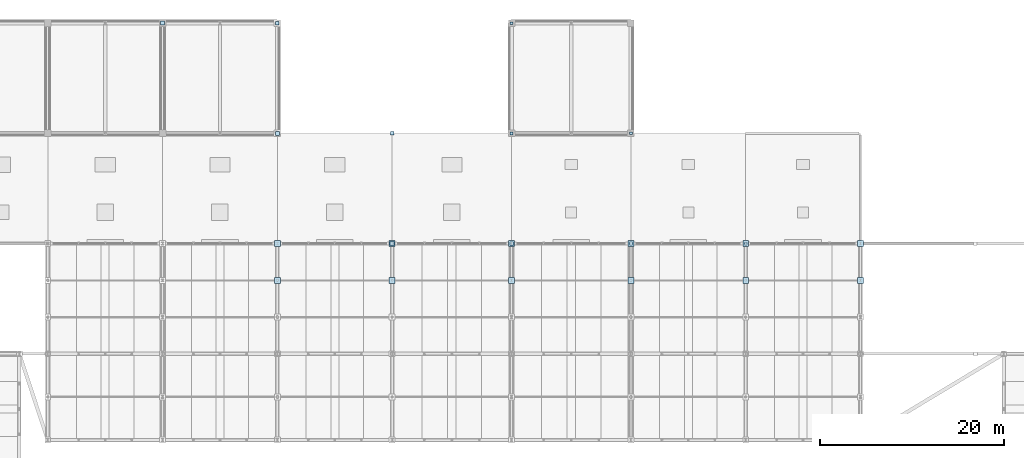
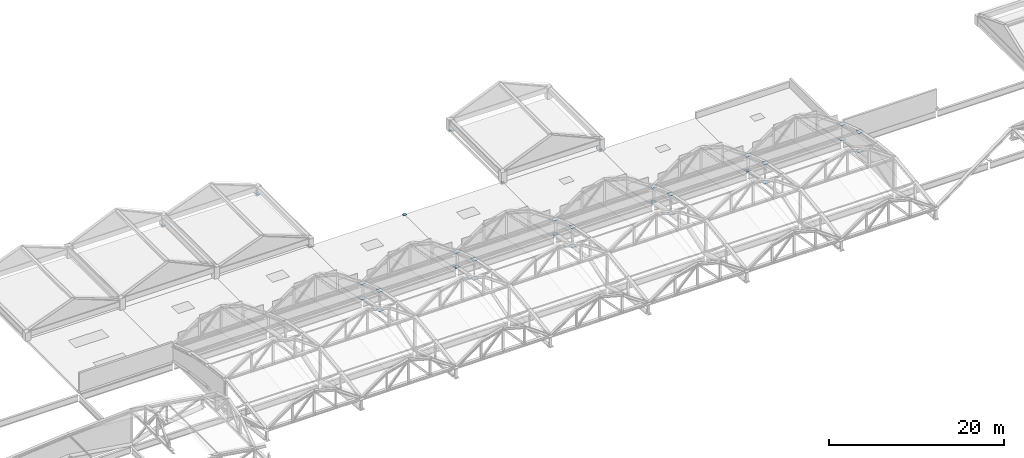
# One storey, part 107 of 117: 35 plates.
"""IFC4 building model written with IfcOpenShell, lengths in metres."""

from ifc_helpers import new_model, si_unit, direction, frame, origin, origin_2d, place, context, subcontext, project, spatial, rectangle, extrude, material, layer, layer_set, type_object, element, save


model = new_model("IFC4")

# Units and contexts
model_context = context("Model", 3, precision=1e-05, world=origin(), true_north=direction((0.0, 1.0)))
body_context = subcontext(model_context, "Body", "Model", "MODEL_VIEW")
ifc_project = project(units=[si_unit("LENGTHUNIT", "METRE"), si_unit("AREAUNIT", "SQUARE_METRE"), si_unit("VOLUMEUNIT", "CUBIC_METRE"), si_unit("PLANEANGLEUNIT", "RADIAN"), si_unit("MASSUNIT", "GRAM", prefix="KILO")], contexts=[model_context])

# Site, building, storey
site_placement = place(None, origin())
site = spatial("IfcSite", under=ifc_project, at=site_placement, CompositionType="ELEMENT")
building_placement = place(site_placement, origin())
building = spatial("IfcBuilding", under=site, at=building_placement, Name="Kazenohara Klinker Stadium", CompositionType="ELEMENT")
storey_placement = place(building_placement, frame((0.0, 0.0, 31.199951171875)))
storey = spatial("IfcBuildingStorey", under=building, at=storey_placement, Name="RF", CompositionType="ELEMENT", Elevation=31.199951171875)

# Plates
ifc_material = material(Name="Steel S355", Category="steel")
ifc_layer_1 = layer(ifc_material, 0.02001953125)
ifc_layer_set_1 = layer_set([ifc_layer_1], Name="Steel S355")
plate_type_1 = type_object("IfcPlateType", Name="PLT-GP01", PredefinedType="USERDEFINED", material=ifc_layer_set_1)
plate_1_placement = place(storey_placement, frame((99.0, 156.0, -0.010009765625), z_axis=(0.0, 0.0, 1.0), x_axis=(1.0, 0.0, 0.0)))
element("IfcPlate", 1, at=plate_1_placement, inside=storey, type_object=plate_type_1, Name="Hollow column end-cap plate GP01 RF 9/P", ObjectType="GUSSET PLATE", PredefinedType="USERDEFINED", context=body_context, shape_type="SweptSolid", body=[
    extrude(rectangle(XDim=0.389892578125, YDim=0.389892578125, at=origin_2d()), origin(), (0.0, 0.0, 1.0), 0.02001953125),
])
for number, where, z_axis, x_axis, name in (
    (2, (99.0, 140.0, 0.739990234375), (0.0, 0.0, 1.0), (1.0, 0.0, 0.0), "ROOF TRUSS RT-N04 node gusset plate BN2"),
    (3, (99.0, 140.0, 3.43994140625), (0.0, 0.0, 1.0), (1.0, 0.0, 0.0), "ROOF TRUSS RT-N04 node gusset plate TN2"),
    (4, (112.0, 144.0, -0.030029296875), (0.0, 0.0, 1.0), (1.0, 0.0, 0.0), "ROOF TRUSS RT-N05 node gusset plate BN1"),
    (5, (112.0, 144.0, 2.090087890625), (0.0, 0.0, 1.0), (1.0, 0.0, 0.0), "ROOF TRUSS RT-N05 node gusset plate TN1"),
):
    element("IfcPlate", number, at=place(storey_placement, frame(where, z_axis=z_axis, x_axis=x_axis)), inside=storey, type_object=plate_type_1, Name=name, ObjectType="GUSSET PLATE", PredefinedType="USERDEFINED", context=body_context, shape_type="SweptSolid", body=[
        extrude(rectangle(XDim=0.639892578125, YDim=0.639892578125, at=origin_2d()), origin(), (0.0, 0.0, 1.0), 0.02001953125),
    ])
ifc_layer_2 = layer(ifc_material, 0.02197265625)
ifc_layer_set_2 = layer_set([ifc_layer_2], Name="Steel S355")
plate_type_2 = type_object("IfcPlateType", Name="PLT-GP02", PredefinedType="USERDEFINED", material=ifc_layer_set_2)
plate_2_placement = place(storey_placement, frame((99.0, 144.0, -0.010986328125), z_axis=(0.0, 0.0, 1.0), x_axis=(1.0, 0.0, 0.0)))
element("IfcPlate", 6, at=plate_2_placement, inside=storey, type_object=plate_type_2, Name="Hollow column end-cap plate GP02 RF 9/N", ObjectType="GUSSET PLATE", PredefinedType="USERDEFINED", context=body_context, shape_type="SweptSolid", body=[
    extrude(rectangle(XDim=0.43994140625, YDim=0.43994140625, at=origin_2d()), origin(), (0.0, 0.0, 1.0), 0.02197265625),
])
plate_3_placement = place(storey_placement, frame((137.5, 144.0, -0.010986328125), z_axis=(0.0, 0.0, 1.0), x_axis=(1.0, 0.0, 0.0)))
element("IfcPlate", 7, at=plate_3_placement, inside=storey, type_object=plate_type_2, Name="Hollow column end-cap plate GP02 RF 12/N", ObjectType="GUSSET PLATE", PredefinedType="USERDEFINED", context=body_context, shape_type="SweptSolid", body=[
    extrude(rectangle(XDim=0.2900390625, YDim=0.2900390625, at=origin_2d()), origin(), (0.0, 0.0, 1.0), 0.02197265625),
])
for number, where, z_axis, x_axis, name in (
    (8, (112.0, 140.0, 0.739013671875), (0.0, 0.0, 1.0), (1.0, 0.0, 0.0), "ROOF TRUSS RT-N05 node gusset plate BN2"),
    (9, (112.0, 140.0, 3.43896484375), (0.0, 0.0, 1.0), (1.0, 0.0, 0.0), "ROOF TRUSS RT-N05 node gusset plate TN2"),
    (10, (125.0, 144.0, -0.031005859375), (0.0, 0.0, 1.0), (1.0, 0.0, 0.0), "ROOF TRUSS RT-N06 node gusset plate BN1"),
    (11, (125.0, 144.0, 2.089111328125), (0.0, 0.0, 1.0), (1.0, 0.0, 0.0), "ROOF TRUSS RT-N06 node gusset plate TN1"),
):
    element("IfcPlate", number, at=place(storey_placement, frame(where, z_axis=z_axis, x_axis=x_axis)), inside=storey, type_object=plate_type_2, Name=name, ObjectType="GUSSET PLATE", PredefinedType="USERDEFINED", context=body_context, shape_type="SweptSolid", body=[
        extrude(rectangle(XDim=0.639892578125, YDim=0.639892578125, at=origin_2d()), origin(), (0.0, 0.0, 1.0), 0.02197265625),
    ])
ifc_layer_3 = layer(ifc_material, 0.02392578125)
ifc_layer_set_3 = layer_set([ifc_layer_3], Name="Steel S355")
plate_type_3 = type_object("IfcPlateType", Name="PLT-GP03", PredefinedType="USERDEFINED", material=ifc_layer_set_3)
plate_4_placement = place(storey_placement, frame((86.5, 168.0, -0.011962890625), z_axis=(0.0, 0.0, 1.0), x_axis=(1.0, 0.0, 0.0)))
element("IfcPlate", 12, at=plate_4_placement, inside=storey, type_object=plate_type_3, Name="Hollow column end-cap plate GP03 RF 8/Q", ObjectType="GUSSET PLATE", PredefinedType="USERDEFINED", context=body_context, shape_type="SweptSolid", body=[
    extrude(rectangle(XDim=0.389892578125, YDim=0.389892578125, at=origin_2d()), origin(), (0.0, 0.0, 1.0), 0.02392578125),
])
plate_5_placement = place(storey_placement, frame((125.0, 144.0, -0.011962890625), z_axis=(0.0, 0.0, 1.0), x_axis=(1.0, 0.0, 0.0)))
element("IfcPlate", 13, at=plate_5_placement, inside=storey, type_object=plate_type_3, Name="Hollow column end-cap plate GP03 RF 11/N", ObjectType="GUSSET PLATE", PredefinedType="USERDEFINED", context=body_context, shape_type="SweptSolid", body=[
    extrude(rectangle(XDim=0.340087890625, YDim=0.340087890625, at=origin_2d()), origin(), (0.0, 0.0, 1.0), 0.02392578125),
])
plate_6_placement = place(storey_placement, frame((125.0, 156.0, -0.011962890625), z_axis=(0.0, 0.0, 1.0), x_axis=(1.0, 0.0, 0.0)))
element("IfcPlate", 14, at=plate_6_placement, inside=storey, type_object=plate_type_3, Name="Hollow column end-cap plate GP03 RF 11/P", ObjectType="GUSSET PLATE", PredefinedType="USERDEFINED", context=body_context, shape_type="SweptSolid", body=[
    extrude(rectangle(XDim=0.2900390625, YDim=0.2900390625, at=origin_2d()), origin(), (0.0, 0.0, 1.0), 0.02392578125),
])
for number, where, z_axis, x_axis, name in (
    (15, (125.0, 140.0, 0.738037109375), (0.0, 0.0, 1.0), (1.0, 0.0, 0.0), "ROOF TRUSS RT-N06 node gusset plate BN2"),
    (16, (125.0, 140.0, 3.43798828125), (0.0, 0.0, 1.0), (1.0, 0.0, 0.0), "ROOF TRUSS RT-N06 node gusset plate TN2"),
    (17, (137.5, 144.0, -0.031982421875), (0.0, 0.0, 1.0), (1.0, 0.0, 0.0), "ROOF TRUSS RT-N07 node gusset plate BN1"),
    (18, (137.5, 144.0, 2.088134765625), (0.0, 0.0, 1.0), (1.0, 0.0, 0.0), "ROOF TRUSS RT-N07 node gusset plate TN1"),
):
    element("IfcPlate", number, at=place(storey_placement, frame(where, z_axis=z_axis, x_axis=x_axis)), inside=storey, type_object=plate_type_3, Name=name, ObjectType="GUSSET PLATE", PredefinedType="USERDEFINED", context=body_context, shape_type="SweptSolid", body=[
        extrude(rectangle(XDim=0.639892578125, YDim=0.639892578125, at=origin_2d()), origin(), (0.0, 0.0, 1.0), 0.02392578125),
    ])
ifc_layer_4 = layer(ifc_material, 0.02490234375)
ifc_layer_set_4 = layer_set([ifc_layer_4], Name="Steel S355")
plate_type_4 = type_object("IfcPlateType", Name="PLT-GP04", PredefinedType="USERDEFINED", material=ifc_layer_set_4)
for number, where, z_axis, x_axis, name in (
    (19, (74.0, 168.0, -0.012451171875), (0.0, 0.0, 1.0), (1.0, 0.0, 0.0), "Hollow column end-cap plate GP04 RF 7/Q"),
    (20, (86.5, 156.0, -0.012451171875), (0.0, 0.0, 1.0), (1.0, 0.0, 0.0), "Hollow column end-cap plate GP04 RF 8/P"),
):
    element("IfcPlate", number, at=place(storey_placement, frame(where, z_axis=z_axis, x_axis=x_axis)), inside=storey, type_object=plate_type_4, Name=name, ObjectType="GUSSET PLATE", PredefinedType="USERDEFINED", context=body_context, shape_type="SweptSolid", body=[
        extrude(rectangle(XDim=0.43994140625, YDim=0.43994140625, at=origin_2d()), origin(), (0.0, 0.0, 1.0), 0.02490234375),
    ])
plate_7_placement = place(storey_placement, frame((112.0, 144.0, -0.012451171875), z_axis=(0.0, 0.0, 1.0), x_axis=(1.0, 0.0, 0.0)))
element("IfcPlate", 21, at=plate_7_placement, inside=storey, type_object=plate_type_4, Name="Hollow column end-cap plate GP04 RF 10/N", ObjectType="GUSSET PLATE", PredefinedType="USERDEFINED", context=body_context, shape_type="SweptSolid", body=[
    extrude(rectangle(XDim=0.389892578125, YDim=0.389892578125, at=origin_2d()), origin(), (0.0, 0.0, 1.0), 0.02490234375),
])
plate_8_placement = place(storey_placement, frame((112.0, 156.0, -0.012451171875), z_axis=(0.0, 0.0, 1.0), x_axis=(1.0, 0.0, 0.0)))
element("IfcPlate", 22, at=plate_8_placement, inside=storey, type_object=plate_type_4, Name="Hollow column end-cap plate GP04 RF 10/P", ObjectType="GUSSET PLATE", PredefinedType="USERDEFINED", context=body_context, shape_type="SweptSolid", body=[
    extrude(rectangle(XDim=0.340087890625, YDim=0.340087890625, at=origin_2d()), origin(), (0.0, 0.0, 1.0), 0.02490234375),
])
plate_9_placement = place(storey_placement, frame((112.0, 168.0, -0.012451171875), z_axis=(0.0, 0.0, 1.0), x_axis=(1.0, 0.0, 0.0)))
element("IfcPlate", 23, at=plate_9_placement, inside=storey, type_object=plate_type_4, Name="Hollow column end-cap plate GP04 RF 10/Q", ObjectType="GUSSET PLATE", PredefinedType="USERDEFINED", context=body_context, shape_type="SweptSolid", body=[
    extrude(rectangle(XDim=0.2900390625, YDim=0.2900390625, at=origin_2d()), origin(), (0.0, 0.0, 1.0), 0.02490234375),
])
for number, where, z_axis, x_axis, name in (
    (24, (137.5, 140.0, 0.737548828125), (0.0, 0.0, 1.0), (1.0, 0.0, 0.0), "ROOF TRUSS RT-N07 node gusset plate BN2"),
    (25, (137.5, 140.0, 3.4375), (0.0, 0.0, 1.0), (1.0, 0.0, 0.0), "ROOF TRUSS RT-N07 node gusset plate TN2"),
    (26, (150.0, 144.0, -0.032470703125), (0.0, 0.0, 1.0), (1.0, 0.0, 0.0), "ROOF TRUSS RT-N08 node gusset plate BN1"),
    (27, (150.0, 144.0, 2.087646484375), (0.0, 0.0, 1.0), (1.0, 0.0, 0.0), "ROOF TRUSS RT-N08 node gusset plate TN1"),
):
    element("IfcPlate", number, at=place(storey_placement, frame(where, z_axis=z_axis, x_axis=x_axis)), inside=storey, type_object=plate_type_4, Name=name, ObjectType="GUSSET PLATE", PredefinedType="USERDEFINED", context=body_context, shape_type="SweptSolid", body=[
        extrude(rectangle(XDim=0.639892578125, YDim=0.639892578125, at=origin_2d()), origin(), (0.0, 0.0, 1.0), 0.02490234375),
    ])
ifc_layer_5 = layer(ifc_material, 0.02587890625)
ifc_layer_set_5 = layer_set([ifc_layer_5], Name="Steel S355")
plate_type_5 = type_object("IfcPlateType", Name="PLT-GP05", PredefinedType="USERDEFINED", material=ifc_layer_set_5)
for number, where, z_axis, x_axis, name in (
    (28, (86.5, 144.0, -0.032958984375), (0.0, 0.0, 1.0), (1.0, 0.0, 0.0), "ROOF TRUSS RT-N03 node gusset plate BN1"),
    (29, (86.5, 144.0, 2.087158203125), (0.0, 0.0, 1.0), (1.0, 0.0, 0.0), "ROOF TRUSS RT-N03 node gusset plate TN1"),
    (30, (150.0, 140.0, 0.737060546875), (0.0, 0.0, 1.0), (1.0, 0.0, 0.0), "ROOF TRUSS RT-N08 node gusset plate BN2"),
    (31, (150.0, 140.0, 3.43701171875), (0.0, 0.0, 1.0), (1.0, 0.0, 0.0), "ROOF TRUSS RT-N08 node gusset plate TN2"),
):
    element("IfcPlate", number, at=place(storey_placement, frame(where, z_axis=z_axis, x_axis=x_axis)), inside=storey, type_object=plate_type_5, Name=name, ObjectType="GUSSET PLATE", PredefinedType="USERDEFINED", context=body_context, shape_type="SweptSolid", body=[
        extrude(rectangle(XDim=0.639892578125, YDim=0.639892578125, at=origin_2d()), origin(), (0.0, 0.0, 1.0), 0.02587890625),
    ])
ifc_layer_6 = layer(ifc_material, 0.028076171875)
ifc_layer_set_6 = layer_set([ifc_layer_6], Name="Steel S355")
plate_type_6 = type_object("IfcPlateType", Name="PLT-GP06", PredefinedType="USERDEFINED", material=ifc_layer_set_6)
for number, where, z_axis, x_axis, name in (
    (32, (86.5, 140.0, 0.73583984375), (0.0, 0.0, 1.0), (1.0, 0.0, 0.0), "ROOF TRUSS RT-N03 node gusset plate BN2"),
    (33, (86.5, 140.0, 3.43603515625), (0.0, 0.0, 1.0), (1.0, 0.0, 0.0), "ROOF TRUSS RT-N03 node gusset plate TN2"),
    (34, (99.0, 144.0, -0.0341796875), (0.0, 0.0, 1.0), (1.0, 0.0, 0.0), "ROOF TRUSS RT-N04 node gusset plate BN1"),
    (35, (99.0, 144.0, 2.0859375), (0.0, 0.0, 1.0), (1.0, 0.0, 0.0), "ROOF TRUSS RT-N04 node gusset plate TN1"),
):
    element("IfcPlate", number, at=place(storey_placement, frame(where, z_axis=z_axis, x_axis=x_axis)), inside=storey, type_object=plate_type_6, Name=name, ObjectType="GUSSET PLATE", PredefinedType="USERDEFINED", context=body_context, shape_type="SweptSolid", body=[
        extrude(rectangle(XDim=0.639892578125, YDim=0.639892578125, at=origin_2d()), origin(), (0.0, 0.0, 1.0), 0.028076171875),
    ])

save(model, "model.ifc")
